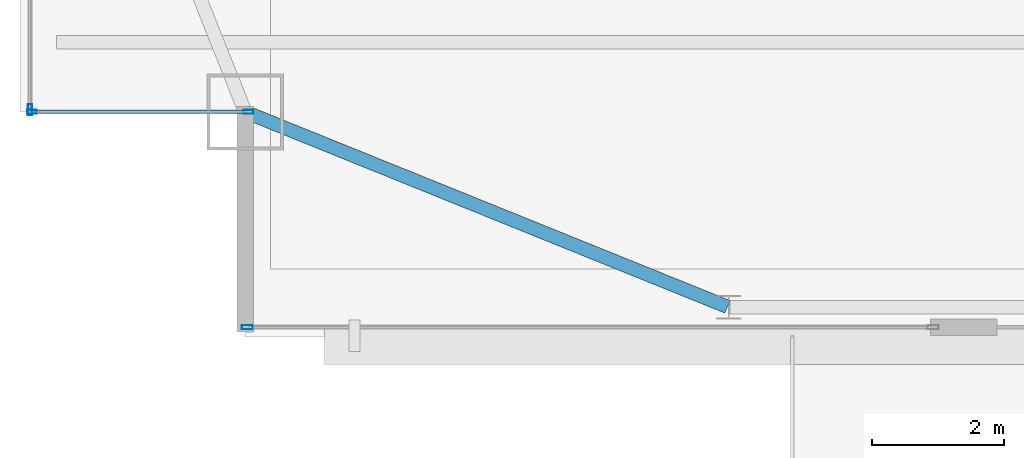
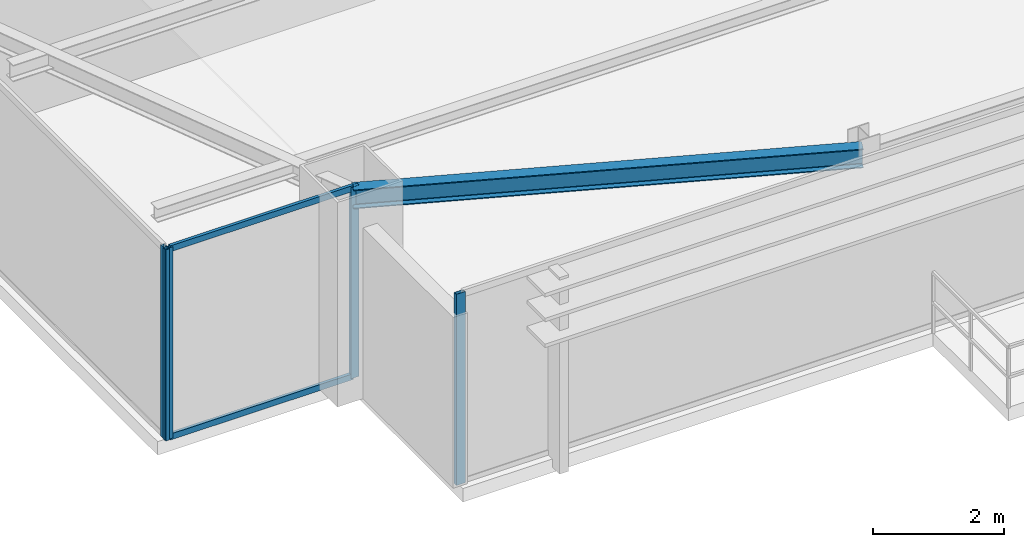
# One storey, part 4 of 30: 6 members, 1 beam, 3 elements without a shape of their own.
"""IFC4 building model written with IfcOpenShell, lengths in metres."""

from ifc_helpers import new_model, si_unit, direction, frame, origin, origin_2d, place, context, subcontext, project, spatial, hollow_rectangle, i_section, extrude, source, transform, mapped, material, layer, layer_set, material_profile, profile_set, type_object, type_shapes, element, aggregate, save


model = new_model("IFC4")

# Units and contexts
model_context = context("Model", 3, precision=1e-05, world=origin(), true_north=direction((0.0, 1.0)))
body_context = subcontext(model_context, "Body", "Model", "MODEL_VIEW")
ifc_project = project(units=[si_unit("LENGTHUNIT", "METRE"), si_unit("AREAUNIT", "SQUARE_METRE"), si_unit("VOLUMEUNIT", "CUBIC_METRE"), si_unit("PLANEANGLEUNIT", "RADIAN"), si_unit("MASSUNIT", "GRAM", prefix="KILO")], contexts=[model_context])

# Site, building, storey
site_placement = place(None, origin())
site = spatial("IfcSite", under=ifc_project, at=site_placement, CompositionType="ELEMENT")
building_placement = place(site_placement, origin())
building = spatial("IfcBuilding", under=site, at=building_placement, Name="Varnel Quay Broadcast Tower", CompositionType="ELEMENT")
storey_placement = place(building_placement, frame((0.0, 0.0, 247.0)))
storey = spatial("IfcBuildingStorey", under=building, at=storey_placement, Name="L61", CompositionType="ELEMENT", Elevation=247.0)

# Beam
ifc_material_1 = material(Name="Structural Steel CSA G40.21 350W", Category="steel")
ifc_material_profile_1 = material_profile(ifc_material_1, i_section(OverallWidth=0.205078125, OverallDepth=0.35400390625, WebThickness=0.009521484375, FlangeThickness=0.016845703125, FilletRadius=0.012939453125, at=origin_2d()), Name="W360X79")
ifc_profile_set_1 = profile_set([ifc_material_profile_1], Name="Structural Steel CSA G40.21 350W")
beam_type = type_object("IfcBeamType", Name="Beam_W360X79", PredefinedType="SPANDREL", material=ifc_profile_set_1)
shared_shape_1 = source(origin(), body_context, "Body", "SweptSolid", [
    extrude(i_section(OverallWidth=0.205078125, OverallDepth=0.35400390625, WebThickness=0.009521484375, FlangeThickness=0.016845703125, FilletRadius=0.012939453125, at=origin_2d()), origin(), (0.0, 0.0, 1.0), 7.83349609375),
])
type_shapes(beam_type, [shared_shape_1])
beam_placement = place(storey_placement, frame((12.91845703125, 13.592529296875, 3.373046875), z_axis=(0.927155449606, -0.374676890489, 0.0), x_axis=(0.374676890489, 0.927155449606, 0.0)))
element("IfcBeam", 1, at=beam_placement, inside=storey, type_object=beam_type, Name="L61 South Spandrel MC-SW-TC-S1", PredefinedType="SPANDREL", context=body_context, shape_type="MappedRepresentation", body=[
    mapped(shared_shape_1, transform((0.0, 0.0, 0.0), x_axis=(1.0, 0.0, 0.0), y_axis=(0.0, 1.0, 0.0), z_axis=(0.0, 0.0, 1.0), scale=1.0)),
])

# Curtain wall, members
ifc_material_2 = material(Name="Anodised Bronze Aluminium 6063-T6", Category="aluminium")
ifc_layer_1 = layer(ifc_material_2, 0.18994140625, Name="Anodised Bronze Aluminium 6063-T6")
ifc_layer_set_1 = layer_set([ifc_layer_1], Name="Anodised Bronze Aluminium 6063-T6")
curtain_wall_type_1 = type_object("IfcCurtainWallType", Name="CW_NotchCorner", PredefinedType="NOTDEFINED", material=ifc_layer_set_1)
curtain_wall_1_placement = place(storey_placement, origin())
curtain_wall_1 = element("IfcCurtainWall", 2, at=curtain_wall_1_placement, inside=storey, type_object=curtain_wall_type_1, Name="L61 SW Notch Curtain Wall", PredefinedType="NOTDEFINED")
ifc_material_profile_2 = material_profile(ifc_material_2, hollow_rectangle(XDim=0.06005859375, YDim=0.14501953125, WallThickness=0.00341796875, at=origin_2d()), Name="ALU60X145X3.5")
ifc_profile_set_2 = profile_set([ifc_material_profile_2], Name="Anodised Bronze Aluminium 6063-T6")
member_type_1 = type_object("IfcMemberType", Name="Mull_CWS-04", PredefinedType="MULLION", material=ifc_profile_set_2)
shared_shape_2 = source(origin(), body_context, "Body", "SweptSolid", [
    extrude(hollow_rectangle(XDim=0.06005859375, YDim=0.14501953125, WallThickness=0.00341796875, at=origin_2d()), origin(), (0.0, 0.0, 1.0), 3.550048828125),
])
type_shapes(member_type_1, [shared_shape_2])
member_1_placement = place(storey_placement, frame((9.679931640625, 13.60009765625, 0.0), z_axis=(0.0, 0.0, 1.0), x_axis=(0.0, 1.0, 0.0)))
member_1 = element("IfcMember", 3, at=member_1_placement, type_object=member_type_1, Name="CWS-04 mullion 1", PredefinedType="MULLION", context=body_context, shape_type="MappedRepresentation", body=[
    mapped(shared_shape_2, transform((0.0, 0.0, 0.0), x_axis=(1.0, 0.0, 0.0), y_axis=(0.0, 1.0, 0.0), z_axis=(0.0, 0.0, 1.0), scale=1.0)),
])
member_2_placement = place(storey_placement, frame((12.949951171875, 13.60009765625, 0.0), z_axis=(0.0, 0.0, 1.0), x_axis=(0.0, 1.0, 0.0)))
member_2 = element("IfcMember", 4, at=member_2_placement, type_object=member_type_1, Name="CWS-04 mullion 2", PredefinedType="MULLION", context=body_context, shape_type="MappedRepresentation", body=[
    mapped(shared_shape_2, transform((0.0, 0.0, 0.0), x_axis=(1.0, 0.0, 0.0), y_axis=(0.0, 1.0, 0.0), z_axis=(0.0, 0.0, 1.0), scale=1.0)),
])

# Curtain wall, member
ifc_layer_2 = layer(ifc_material_2, 0.18994140625, Name="Anodised Bronze Aluminium 6063-T6")
ifc_layer_set_2 = layer_set([ifc_layer_2], Name="Anodised Bronze Aluminium 6063-T6")
curtain_wall_type_2 = type_object("IfcCurtainWallType", Name="CW_UpperTower", PredefinedType="NOTDEFINED", material=ifc_layer_set_2)
curtain_wall_2_placement = place(storey_placement, origin())
curtain_wall_2 = element("IfcCurtainWall", 5, at=curtain_wall_2_placement, inside=storey, type_object=curtain_wall_type_2, Name="L61 South Unitised Curtain Wall 1", PredefinedType="NOTDEFINED")
ifc_material_profile_3 = material_profile(ifc_material_2, hollow_rectangle(XDim=0.06494140625, YDim=0.1650390625, WallThickness=0.00341796875, at=origin_2d()), Name="ALU65X165X3.5")
ifc_profile_set_3 = profile_set([ifc_material_profile_3], Name="Anodised Bronze Aluminium 6063-T6")
member_type_2 = type_object("IfcMemberType", Name="Mull_CWS-03", PredefinedType="MULLION", material=ifc_profile_set_3)
shared_shape_3 = source(origin(), body_context, "Body", "SweptSolid", [
    extrude(hollow_rectangle(XDim=0.06494140625, YDim=0.1650390625, WallThickness=0.00341796875, at=origin_2d()), origin(), (0.0, 0.0, 1.0), 3.550048828125),
])
type_shapes(member_type_2, [shared_shape_3])
member_3_placement = place(storey_placement, frame((12.9326171875, 10.35009765625, 0.0), z_axis=(0.0, 0.0, 1.0), x_axis=(0.0, 1.0, 0.0)))
member_3 = element("IfcMember", 6, at=member_3_placement, type_object=member_type_2, Name="CWS-03 mullion 1", PredefinedType="MULLION", context=body_context, shape_type="MappedRepresentation", body=[
    mapped(shared_shape_3, transform((0.0, 0.0, 0.0), x_axis=(1.0, 0.0, 0.0), y_axis=(0.0, 1.0, 0.0), z_axis=(0.0, 0.0, 1.0), scale=1.0)),
])
aggregate(curtain_wall_2, [member_3])

curtain_wall_3_placement = place(storey_placement, origin())
curtain_wall_3 = element("IfcCurtainWall", 7, at=curtain_wall_3_placement, inside=storey, type_object=curtain_wall_type_2, Name="L61 West Unitised Curtain Wall", PredefinedType="NOTDEFINED")
member_4_placement = place(storey_placement, frame((9.64990234375, 13.632568359375, 0.0), z_axis=(0.0, 0.0, 1.0), x_axis=(-1.0, 0.0, 0.0)))
member_4 = element("IfcMember", 8, at=member_4_placement, type_object=member_type_2, Name="CWS-03 mullion 1", PredefinedType="MULLION", context=body_context, shape_type="MappedRepresentation", body=[
    mapped(shared_shape_3, transform((0.0, 0.0, 0.0), x_axis=(1.0, 0.0, 0.0), y_axis=(0.0, 1.0, 0.0), z_axis=(0.0, 0.0, 1.0), scale=1.0)),
])
aggregate(curtain_wall_3, [member_4])

# Member
ifc_material_profile_4 = material_profile(ifc_material_2, hollow_rectangle(XDim=0.054931640625, YDim=0.110107421875, WallThickness=0.0029296875, at=origin_2d()), Name="ALU55X110X3")
ifc_profile_set_4 = profile_set([ifc_material_profile_4], Name="Anodised Bronze Aluminium 6063-T6")
member_type_3 = type_object("IfcMemberType", Name="Tran_CWS-04", PredefinedType="USERDEFINED", material=ifc_profile_set_4)
shared_shape_4 = source(origin(), body_context, "Body", "SweptSolid", [
    extrude(hollow_rectangle(XDim=0.054931640625, YDim=0.110107421875, WallThickness=0.0029296875, at=origin_2d()), origin(), (0.0, 0.0, 1.0), 3.2099609375),
])
type_shapes(member_type_3, [shared_shape_4])
member_5_placement = place(storey_placement, frame((9.7099609375, 13.60009765625, 0.027587890625), z_axis=(1.0, 0.0, 0.0), x_axis=(0.0, 1.0, 0.0)))
member_5 = element("IfcMember", 9, at=member_5_placement, type_object=member_type_3, Name="CWS-04 transom 1.1", ObjectType="TRANSOM", PredefinedType="USERDEFINED", context=body_context, shape_type="MappedRepresentation", body=[
    mapped(shared_shape_4, transform((0.0, 0.0, 0.0), x_axis=(1.0, 0.0, 0.0), y_axis=(0.0, 1.0, 0.0), z_axis=(0.0, 0.0, 1.0), scale=1.0)),
])

member_6_placement = place(storey_placement, frame((9.7099609375, 13.60009765625, 3.5224609375), z_axis=(1.0, 0.0, 0.0), x_axis=(0.0, 1.0, 0.0)))
member_6 = element("IfcMember", 10, at=member_6_placement, type_object=member_type_3, Name="CWS-04 transom 1.2", ObjectType="TRANSOM", PredefinedType="USERDEFINED", context=body_context, shape_type="MappedRepresentation", body=[
    mapped(shared_shape_4, transform((0.0, 0.0, 0.0), x_axis=(1.0, 0.0, 0.0), y_axis=(0.0, 1.0, 0.0), z_axis=(0.0, 0.0, 1.0), scale=1.0)),
])

aggregate(curtain_wall_1, [member_1, member_2, member_5, member_6])

save(model, "model.ifc")
